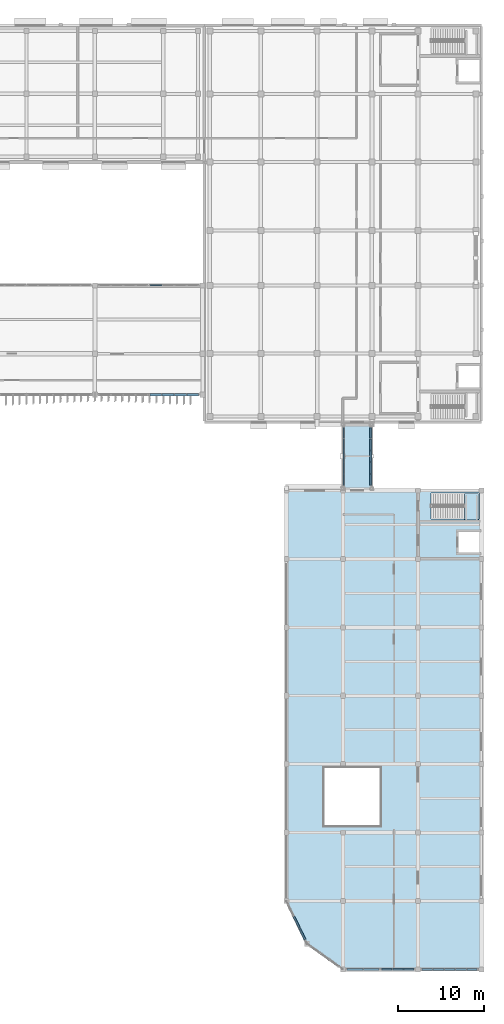
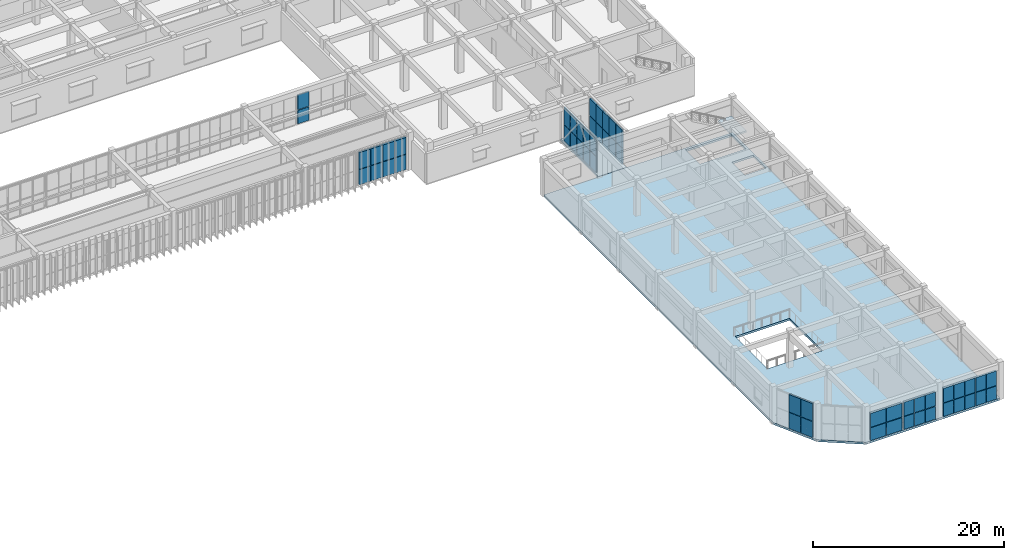
# One storey, part 34 of 64: 54 plates, 3 slabs, 9 elements without a shape of their own.
"""IFC4 building model written with IfcOpenShell, lengths in metres."""

from ifc_helpers import new_model, si_unit, direction, frame, origin, origin_2d, place, context, subcontext, project, spatial, polyline, rectangle, outline, extrude, material, layer, layer_set, type_object, element, aggregate, save


model = new_model("IFC4")

# Units and contexts
model_context = context("Model", 3, precision=1e-05, world=origin(), true_north=direction((0.0, 1.0)))
body_context = subcontext(model_context, "Body", "Model", "MODEL_VIEW")
ifc_project = project(units=[si_unit("LENGTHUNIT", "METRE"), si_unit("AREAUNIT", "SQUARE_METRE"), si_unit("VOLUMEUNIT", "CUBIC_METRE"), si_unit("PLANEANGLEUNIT", "RADIAN"), si_unit("MASSUNIT", "GRAM", prefix="KILO")], contexts=[model_context])

# Site, building, storey
site_placement = place(None, origin())
site = spatial("IfcSite", under=ifc_project, at=site_placement, CompositionType="ELEMENT")
building_placement = place(site_placement, origin())
building = spatial("IfcBuilding", under=site, at=building_placement, Name="Cinchona Park Media Centre", CompositionType="ELEMENT")
storey_placement = place(building_placement, frame((0.0, 0.0, 5.39990234375)))
storey = spatial("IfcBuildingStorey", under=building, at=storey_placement, Name="L01", CompositionType="ELEMENT", Elevation=5.39990234375)

# Curtain wall, plates
ifc_material_1 = material(Name="Aluminium Curtain Wall Framing", Category="aluminium")
ifc_layer_1 = layer(ifc_material_1, 0.22509765625)
ifc_layer_set_1 = layer_set([ifc_layer_1], Name="Aluminium Curtain Wall Framing")
curtain_wall_type_1 = type_object("IfcCurtainWallType", Name="CW-CW04", PredefinedType="USERDEFINED", material=ifc_layer_set_1)
curtain_wall_1_placement = place(storey_placement, origin())
curtain_wall_1 = element("IfcCurtainWall", 1, at=curtain_wall_1_placement, inside=storey, type_object=curtain_wall_type_1, Name="Curtain Wall CW04 L01", ObjectType="UNITISED CURTAIN WALL", PredefinedType="USERDEFINED")
ifc_material_2 = material(Name="Insulated Acoustic Aluminium-Glass Spandrel Cassette", Category="aluminium")
ifc_layer_2 = layer(ifc_material_2, 0.139892578125)
ifc_layer_set_2 = layer_set([ifc_layer_2], Name="Insulated Acoustic Aluminium-Glass Spandrel Cassette")
plate_type_1 = type_object("IfcPlateType", Name="CWPANEL-PNL13", PredefinedType="CURTAIN_PANEL", material=ifc_layer_set_2)
plate_1_placement = place(storey_placement, frame((133.923828125, 87.60009765625, 0.125), z_axis=(0.0, 0.0, 1.0), x_axis=(1.0, 0.0, 0.0)))
plate_1 = element("IfcPlate", 2, at=plate_1_placement, type_object=plate_type_1, Name="CW04 panel 1.1", PredefinedType="CURTAIN_PANEL", context=body_context, shape_type="SweptSolid", body=[
    extrude(rectangle(XDim=1.33740234375, YDim=0.139892578125, at=origin_2d()), origin(), (0.0, 0.0, 1.0), 1.73046875),
])
plate_2_placement = place(storey_placement, frame((133.923828125, 87.60009765625, 1.9306640625), z_axis=(0.0, 0.0, 1.0), x_axis=(1.0, 0.0, 0.0)))
plate_2 = element("IfcPlate", 3, at=plate_2_placement, type_object=plate_type_1, Name="CW04 panel 1.2", PredefinedType="CURTAIN_PANEL", context=body_context, shape_type="SweptSolid", body=[
    extrude(rectangle(XDim=1.33740234375, YDim=0.139892578125, at=origin_2d()), origin(), (0.0, 0.0, 1.0), 1.884521484375),
])
aggregate(curtain_wall_1, [plate_1, plate_2])

ifc_material_3 = material(Name="Aluminium Curtain Wall Framing", Category="aluminium")
ifc_layer_3 = layer(ifc_material_3, 0.195068359375)
ifc_layer_set_3 = layer_set([ifc_layer_3], Name="Aluminium Curtain Wall Framing")
curtain_wall_type_2 = type_object("IfcCurtainWallType", Name="CW-CW02", PredefinedType="USERDEFINED", material=ifc_layer_set_3)
curtain_wall_2_placement = place(storey_placement, origin())
curtain_wall_2 = element("IfcCurtainWall", 4, at=curtain_wall_2_placement, inside=storey, type_object=curtain_wall_type_2, Name="Skybridge SB1 Curtain Wall CW02 L01", ObjectType="UNITISED CURTAIN WALL", PredefinedType="USERDEFINED")
plate_3_placement = place(storey_placement, frame((155.919921875, 64.872314453125, 0.114990234375), z_axis=(0.0, 0.0, 1.0), x_axis=(0.0, 1.0, 0.0)))
plate_3 = element("IfcPlate", 5, at=plate_3_placement, type_object=plate_type_1, Name="CW02 panel 1.1", PredefinedType="CURTAIN_PANEL", context=body_context, shape_type="SweptSolid", body=[
    extrude(rectangle(XDim=1.2744140625, YDim=0.139892578125, at=origin_2d()), origin(), (0.0, 0.0, 1.0), 2.03857421875),
])
plate_4_placement = place(storey_placement, frame((155.919921875, 64.872314453125, 2.21875), z_axis=(0.0, 0.0, 1.0), x_axis=(0.0, 1.0, 0.0)))
plate_4 = element("IfcPlate", 6, at=plate_4_placement, type_object=plate_type_1, Name="CW02 panel 1.2", PredefinedType="CURTAIN_PANEL", context=body_context, shape_type="SweptSolid", body=[
    extrude(rectangle(XDim=1.2744140625, YDim=0.139892578125, at=origin_2d()), origin(), (0.0, 0.0, 1.0), 2.216552734375),
])
plate_5_placement = place(storey_placement, frame((155.919921875, 66.22802734375, 0.114990234375), z_axis=(0.0, 0.0, 1.0), x_axis=(0.0, 1.0, 0.0)))
plate_5 = element("IfcPlate", 7, at=plate_5_placement, type_object=plate_type_1, Name="CW02 panel 2.1", PredefinedType="CURTAIN_PANEL", context=body_context, shape_type="SweptSolid", body=[
    extrude(rectangle(XDim=1.306884765625, YDim=0.139892578125, at=origin_2d()), origin(), (0.0, 0.0, 1.0), 2.03857421875),
])
plate_6_placement = place(storey_placement, frame((155.919921875, 66.22802734375, 2.21875), z_axis=(0.0, 0.0, 1.0), x_axis=(0.0, 1.0, 0.0)))
plate_6 = element("IfcPlate", 8, at=plate_6_placement, type_object=plate_type_1, Name="CW02 panel 2.2", PredefinedType="CURTAIN_PANEL", context=body_context, shape_type="SweptSolid", body=[
    extrude(rectangle(XDim=1.306884765625, YDim=0.139892578125, at=origin_2d()), origin(), (0.0, 0.0, 1.0), 2.216552734375),
])
plate_7_placement = place(storey_placement, frame((155.919921875, 67.60009765625, 0.114990234375), z_axis=(0.0, 0.0, 1.0), x_axis=(0.0, 1.0, 0.0)))
plate_7 = element("IfcPlate", 9, at=plate_7_placement, type_object=plate_type_1, Name="CW02 panel 3.1", PredefinedType="CURTAIN_PANEL", context=body_context, shape_type="SweptSolid", body=[
    extrude(rectangle(XDim=1.306884765625, YDim=0.139892578125, at=origin_2d()), origin(), (0.0, 0.0, 1.0), 2.03857421875),
])
plate_8_placement = place(storey_placement, frame((155.919921875, 67.60009765625, 2.21875), z_axis=(0.0, 0.0, 1.0), x_axis=(0.0, 1.0, 0.0)))
plate_8 = element("IfcPlate", 10, at=plate_8_placement, type_object=plate_type_1, Name="CW02 panel 3.2", PredefinedType="CURTAIN_PANEL", context=body_context, shape_type="SweptSolid", body=[
    extrude(rectangle(XDim=1.306884765625, YDim=0.139892578125, at=origin_2d()), origin(), (0.0, 0.0, 1.0), 2.216552734375),
])
plate_9_placement = place(storey_placement, frame((155.919921875, 68.971923828125, 0.114990234375), z_axis=(0.0, 0.0, 1.0), x_axis=(0.0, 1.0, 0.0)))
plate_9 = element("IfcPlate", 11, at=plate_9_placement, type_object=plate_type_1, Name="CW02 panel 4.1", PredefinedType="CURTAIN_PANEL", context=body_context, shape_type="SweptSolid", body=[
    extrude(rectangle(XDim=1.306884765625, YDim=0.139892578125, at=origin_2d()), origin(), (0.0, 0.0, 1.0), 2.03857421875),
])
plate_10_placement = place(storey_placement, frame((155.919921875, 68.971923828125, 2.21875), z_axis=(0.0, 0.0, 1.0), x_axis=(0.0, 1.0, 0.0)))
plate_10 = element("IfcPlate", 12, at=plate_10_placement, type_object=plate_type_1, Name="CW02 panel 4.2", PredefinedType="CURTAIN_PANEL", context=body_context, shape_type="SweptSolid", body=[
    extrude(rectangle(XDim=1.306884765625, YDim=0.139892578125, at=origin_2d()), origin(), (0.0, 0.0, 1.0), 2.216552734375),
])
plate_11_placement = place(storey_placement, frame((155.919921875, 70.32763671875, 0.114990234375), z_axis=(0.0, 0.0, 1.0), x_axis=(0.0, 1.0, 0.0)))
plate_11 = element("IfcPlate", 13, at=plate_11_placement, type_object=plate_type_1, Name="CW02 panel 5.1", PredefinedType="CURTAIN_PANEL", context=body_context, shape_type="SweptSolid", body=[
    extrude(rectangle(XDim=1.2744140625, YDim=0.139892578125, at=origin_2d()), origin(), (0.0, 0.0, 1.0), 2.03857421875),
])
plate_12_placement = place(storey_placement, frame((155.919921875, 70.32763671875, 2.21875), z_axis=(0.0, 0.0, 1.0), x_axis=(0.0, 1.0, 0.0)))
plate_12 = element("IfcPlate", 14, at=plate_12_placement, type_object=plate_type_1, Name="CW02 panel 5.2", PredefinedType="CURTAIN_PANEL", context=body_context, shape_type="SweptSolid", body=[
    extrude(rectangle(XDim=1.2744140625, YDim=0.139892578125, at=origin_2d()), origin(), (0.0, 0.0, 1.0), 2.216552734375),
])
aggregate(curtain_wall_2, [plate_3, plate_4, plate_5, plate_6, plate_7, plate_8, plate_9, plate_10, plate_11, plate_12])

ifc_material_4 = material(Name="Aluminium Curtain Wall Framing", Category="aluminium")
ifc_layer_4 = layer(ifc_material_4, 0.27001953125)
ifc_layer_set_4 = layer_set([ifc_layer_4], Name="Aluminium Curtain Wall Framing")
curtain_wall_type_3 = type_object("IfcCurtainWallType", Name="CW-CW07", PredefinedType="USERDEFINED", material=ifc_layer_set_4)
curtain_wall_3_placement = place(storey_placement, origin())
curtain_wall_3 = element("IfcCurtainWall", 15, at=curtain_wall_3_placement, inside=storey, type_object=curtain_wall_type_3, Name="Curtain Wall CW07 L01", ObjectType="UNITISED CURTAIN WALL", PredefinedType="USERDEFINED")
ifc_material_5 = material(Name="Insulated Acoustic Aluminium-Glass Spandrel Cassette", Category="aluminium")
ifc_layer_5 = layer(ifc_material_5, 0.2099609375)
ifc_layer_set_5 = layer_set([ifc_layer_5], Name="Insulated Acoustic Aluminium-Glass Spandrel Cassette")
plate_type_2 = type_object("IfcPlateType", Name="CWPANEL-PNL20", PredefinedType="CURTAIN_PANEL", material=ifc_layer_set_5)
plate_13_placement = place(storey_placement, frame((151.060302734375, 11.724609375, 0.115234375), z_axis=(0.0, 0.0, 1.0), x_axis=(-0.432801347319, 0.901489319825, 0.0)))
plate_13 = element("IfcPlate", 16, at=plate_13_placement, type_object=plate_type_2, Name="CW07 panel 1.1", PredefinedType="CURTAIN_PANEL", context=body_context, shape_type="SweptSolid", body=[
    extrude(rectangle(XDim=1.4443359375, YDim=0.2099609375, at=origin_2d()), origin(), (0.0, 0.0, 1.0), 2.048583984375),
])
plate_14_placement = place(storey_placement, frame((151.060302734375, 11.724609375, 2.228515625), z_axis=(0.0, 0.0, 1.0), x_axis=(-0.432801347319, 0.901489319825, 0.0)))
plate_14 = element("IfcPlate", 17, at=plate_14_placement, type_object=plate_type_2, Name="CW07 panel 1.2", PredefinedType="CURTAIN_PANEL", context=body_context, shape_type="SweptSolid", body=[
    extrude(rectangle(XDim=1.4443359375, YDim=0.2099609375, at=origin_2d()), origin(), (0.0, 0.0, 1.0), 2.2265625),
])
plate_15_placement = place(storey_placement, frame((150.39990234375, 13.10009765625, 0.115234375), z_axis=(0.0, 0.0, 1.0), x_axis=(-0.432801347319, 0.901489319825, 0.0)))
plate_15 = element("IfcPlate", 18, at=plate_15_placement, type_object=plate_type_2, Name="CW07 panel 2.1", PredefinedType="CURTAIN_PANEL", context=body_context, shape_type="SweptSolid", body=[
    extrude(rectangle(XDim=1.476806640625, YDim=0.2099609375, at=origin_2d()), origin(), (0.0, 0.0, 1.0), 2.048583984375),
])
plate_16_placement = place(storey_placement, frame((150.39990234375, 13.10009765625, 2.228515625), z_axis=(0.0, 0.0, 1.0), x_axis=(-0.432801347319, 0.901489319825, 0.0)))
plate_16 = element("IfcPlate", 19, at=plate_16_placement, type_object=plate_type_2, Name="CW07 panel 2.2", PredefinedType="CURTAIN_PANEL", context=body_context, shape_type="SweptSolid", body=[
    extrude(rectangle(XDim=1.476806640625, YDim=0.2099609375, at=origin_2d()), origin(), (0.0, 0.0, 1.0), 2.2265625),
])
aggregate(curtain_wall_3, [plate_13, plate_14, plate_15, plate_16])

curtain_wall_4_placement = place(storey_placement, origin())
curtain_wall_4 = element("IfcCurtainWall", 20, at=curtain_wall_4_placement, inside=storey, type_object=curtain_wall_type_2, Name="Skybridge SB1 Curtain Wall CW02 L01", ObjectType="UNITISED CURTAIN WALL", PredefinedType="USERDEFINED")
plate_17_placement = place(storey_placement, frame((159.080078125, 70.32763671875, 0.114990234375), z_axis=(0.0, 0.0, 1.0), x_axis=(0.0, -1.0, 0.0)))
plate_17 = element("IfcPlate", 21, at=plate_17_placement, type_object=plate_type_2, Name="CW02 panel 1.1", PredefinedType="CURTAIN_PANEL", context=body_context, shape_type="SweptSolid", body=[
    extrude(rectangle(XDim=1.2744140625, YDim=0.2099609375, at=origin_2d()), origin(), (0.0, 0.0, 1.0), 2.03857421875),
])
plate_18_placement = place(storey_placement, frame((159.080078125, 70.32763671875, 2.21875), z_axis=(0.0, 0.0, 1.0), x_axis=(0.0, -1.0, 0.0)))
plate_18 = element("IfcPlate", 22, at=plate_18_placement, type_object=plate_type_2, Name="CW02 panel 1.2", PredefinedType="CURTAIN_PANEL", context=body_context, shape_type="SweptSolid", body=[
    extrude(rectangle(XDim=1.2744140625, YDim=0.2099609375, at=origin_2d()), origin(), (0.0, 0.0, 1.0), 2.216552734375),
])
plate_19_placement = place(storey_placement, frame((159.080078125, 68.971923828125, 0.114990234375), z_axis=(0.0, 0.0, 1.0), x_axis=(0.0, -1.0, 0.0)))
plate_19 = element("IfcPlate", 23, at=plate_19_placement, type_object=plate_type_2, Name="CW02 panel 2.1", PredefinedType="CURTAIN_PANEL", context=body_context, shape_type="SweptSolid", body=[
    extrude(rectangle(XDim=1.306884765625, YDim=0.2099609375, at=origin_2d()), origin(), (0.0, 0.0, 1.0), 2.03857421875),
])
plate_20_placement = place(storey_placement, frame((159.080078125, 68.971923828125, 2.21875), z_axis=(0.0, 0.0, 1.0), x_axis=(0.0, -1.0, 0.0)))
plate_20 = element("IfcPlate", 24, at=plate_20_placement, type_object=plate_type_2, Name="CW02 panel 2.2", PredefinedType="CURTAIN_PANEL", context=body_context, shape_type="SweptSolid", body=[
    extrude(rectangle(XDim=1.306884765625, YDim=0.2099609375, at=origin_2d()), origin(), (0.0, 0.0, 1.0), 2.216552734375),
])
plate_21_placement = place(storey_placement, frame((159.080078125, 67.60009765625, 0.114990234375), z_axis=(0.0, 0.0, 1.0), x_axis=(0.0, -1.0, 0.0)))
plate_21 = element("IfcPlate", 25, at=plate_21_placement, type_object=plate_type_2, Name="CW02 panel 3.1", PredefinedType="CURTAIN_PANEL", context=body_context, shape_type="SweptSolid", body=[
    extrude(rectangle(XDim=1.306884765625, YDim=0.2099609375, at=origin_2d()), origin(), (0.0, 0.0, 1.0), 2.03857421875),
])
plate_22_placement = place(storey_placement, frame((159.080078125, 67.60009765625, 2.21875), z_axis=(0.0, 0.0, 1.0), x_axis=(0.0, -1.0, 0.0)))
plate_22 = element("IfcPlate", 26, at=plate_22_placement, type_object=plate_type_2, Name="CW02 panel 3.2", PredefinedType="CURTAIN_PANEL", context=body_context, shape_type="SweptSolid", body=[
    extrude(rectangle(XDim=1.306884765625, YDim=0.2099609375, at=origin_2d()), origin(), (0.0, 0.0, 1.0), 2.216552734375),
])
plate_23_placement = place(storey_placement, frame((159.080078125, 66.22802734375, 0.114990234375), z_axis=(0.0, 0.0, 1.0), x_axis=(0.0, -1.0, 0.0)))
plate_23 = element("IfcPlate", 27, at=plate_23_placement, type_object=plate_type_2, Name="CW02 panel 4.1", PredefinedType="CURTAIN_PANEL", context=body_context, shape_type="SweptSolid", body=[
    extrude(rectangle(XDim=1.306884765625, YDim=0.2099609375, at=origin_2d()), origin(), (0.0, 0.0, 1.0), 2.03857421875),
])
plate_24_placement = place(storey_placement, frame((159.080078125, 66.22802734375, 2.21875), z_axis=(0.0, 0.0, 1.0), x_axis=(0.0, -1.0, 0.0)))
plate_24 = element("IfcPlate", 28, at=plate_24_placement, type_object=plate_type_2, Name="CW02 panel 4.2", PredefinedType="CURTAIN_PANEL", context=body_context, shape_type="SweptSolid", body=[
    extrude(rectangle(XDim=1.306884765625, YDim=0.2099609375, at=origin_2d()), origin(), (0.0, 0.0, 1.0), 2.216552734375),
])
plate_25_placement = place(storey_placement, frame((159.080078125, 64.872314453125, 0.114990234375), z_axis=(0.0, 0.0, 1.0), x_axis=(0.0, -1.0, 0.0)))
plate_25 = element("IfcPlate", 29, at=plate_25_placement, type_object=plate_type_2, Name="CW02 panel 5.1", PredefinedType="CURTAIN_PANEL", context=body_context, shape_type="SweptSolid", body=[
    extrude(rectangle(XDim=1.2744140625, YDim=0.2099609375, at=origin_2d()), origin(), (0.0, 0.0, 1.0), 2.03857421875),
])
plate_26_placement = place(storey_placement, frame((159.080078125, 64.872314453125, 2.21875), z_axis=(0.0, 0.0, 1.0), x_axis=(0.0, -1.0, 0.0)))
plate_26 = element("IfcPlate", 30, at=plate_26_placement, type_object=plate_type_2, Name="CW02 panel 5.2", PredefinedType="CURTAIN_PANEL", context=body_context, shape_type="SweptSolid", body=[
    extrude(rectangle(XDim=1.2744140625, YDim=0.2099609375, at=origin_2d()), origin(), (0.0, 0.0, 1.0), 2.216552734375),
])
aggregate(curtain_wall_4, [plate_17, plate_18, plate_19, plate_20, plate_21, plate_22, plate_23, plate_24, plate_25, plate_26])

ifc_material_6 = material(Name="Aluminium Curtain Wall Framing", Category="aluminium")
ifc_layer_6 = layer(ifc_material_6, 0.284912109375)
ifc_layer_set_6 = layer_set([ifc_layer_6], Name="Aluminium Curtain Wall Framing")
curtain_wall_type_4 = type_object("IfcCurtainWallType", Name="CW-CW08", PredefinedType="USERDEFINED", material=ifc_layer_set_6)
curtain_wall_5_placement = place(storey_placement, origin())
curtain_wall_5 = element("IfcCurtainWall", 31, at=curtain_wall_5_placement, inside=storey, type_object=curtain_wall_type_4, Name="Curtain Wall CW08 L01", ObjectType="UNITISED CURTAIN WALL", PredefinedType="USERDEFINED")
ifc_material_7 = material(Name="Insulated Acoustic Aluminium-Glass Spandrel Cassette", Category="aluminium")
ifc_layer_7 = layer(ifc_material_7, 0.219970703125)
ifc_layer_set_7 = layer_set([ifc_layer_7], Name="Insulated Acoustic Aluminium-Glass Spandrel Cassette")
plate_type_3 = type_object("IfcPlateType", Name="CWPANEL-PNL21", PredefinedType="CURTAIN_PANEL", material=ifc_layer_set_7)
plate_27_placement = place(storey_placement, frame((163.512451171875, 7.60009765625, 0.1201171875), z_axis=(0.0, 0.0, 1.0), x_axis=(-1.0, 0.0, 0.0)))
plate_27 = element("IfcPlate", 32, at=plate_27_placement, type_object=plate_type_3, Name="CW08 panel 1.1", PredefinedType="CURTAIN_PANEL", context=body_context, shape_type="SweptSolid", body=[
    extrude(rectangle(XDim=1.195068359375, YDim=0.219970703125, at=origin_2d()), origin(), (0.0, 0.0, 1.0), 1.633056640625),
])
plate_28_placement = place(storey_placement, frame((163.512451171875, 7.60009765625, 1.8232421875), z_axis=(0.0, 0.0, 1.0), x_axis=(-1.0, 0.0, 0.0)))
plate_28 = element("IfcPlate", 33, at=plate_28_placement, type_object=plate_type_3, Name="CW08 panel 1.2", PredefinedType="CURTAIN_PANEL", context=body_context, shape_type="SweptSolid", body=[
    extrude(rectangle(XDim=1.195068359375, YDim=0.219970703125, at=origin_2d()), origin(), (0.0, 0.0, 1.0), 1.777099609375),
])
plate_29_placement = place(storey_placement, frame((162.22998046875, 7.60009765625, 0.1201171875), z_axis=(0.0, 0.0, 1.0), x_axis=(-1.0, 0.0, 0.0)))
plate_29 = element("IfcPlate", 34, at=plate_29_placement, type_object=plate_type_3, Name="CW08 panel 2.1", PredefinedType="CURTAIN_PANEL", context=body_context, shape_type="SweptSolid", body=[
    extrude(rectangle(XDim=1.22998046875, YDim=0.219970703125, at=origin_2d()), origin(), (0.0, 0.0, 1.0), 1.633056640625),
])
plate_30_placement = place(storey_placement, frame((162.22998046875, 7.60009765625, 1.8232421875), z_axis=(0.0, 0.0, 1.0), x_axis=(-1.0, 0.0, 0.0)))
plate_30 = element("IfcPlate", 35, at=plate_30_placement, type_object=plate_type_3, Name="CW08 panel 2.2", PredefinedType="CURTAIN_PANEL", context=body_context, shape_type="SweptSolid", body=[
    extrude(rectangle(XDim=1.22998046875, YDim=0.219970703125, at=origin_2d()), origin(), (0.0, 0.0, 1.0), 1.777099609375),
])
plate_31_placement = place(storey_placement, frame((160.947509765625, 7.60009765625, 0.1201171875), z_axis=(0.0, 0.0, 1.0), x_axis=(-1.0, 0.0, 0.0)))
plate_31 = element("IfcPlate", 36, at=plate_31_placement, type_object=plate_type_3, Name="CW08 panel 3.1", PredefinedType="CURTAIN_PANEL", context=body_context, shape_type="SweptSolid", body=[
    extrude(rectangle(XDim=1.195068359375, YDim=0.219970703125, at=origin_2d()), origin(), (0.0, 0.0, 1.0), 1.633056640625),
])
plate_32_placement = place(storey_placement, frame((160.947509765625, 7.60009765625, 1.8232421875), z_axis=(0.0, 0.0, 1.0), x_axis=(-1.0, 0.0, 0.0)))
plate_32 = element("IfcPlate", 37, at=plate_32_placement, type_object=plate_type_3, Name="CW08 panel 3.2", PredefinedType="CURTAIN_PANEL", context=body_context, shape_type="SweptSolid", body=[
    extrude(rectangle(XDim=1.195068359375, YDim=0.219970703125, at=origin_2d()), origin(), (0.0, 0.0, 1.0), 1.777099609375),
])
aggregate(curtain_wall_5, [plate_27, plate_28, plate_29, plate_30, plate_31, plate_32])

ifc_material_8 = material(Name="Aluminium Curtain Wall Framing", Category="aluminium")
ifc_layer_8 = layer(ifc_material_8, 0.300048828125)
ifc_layer_set_8 = layer_set([ifc_layer_8], Name="Aluminium Curtain Wall Framing")
curtain_wall_type_5 = type_object("IfcCurtainWallType", Name="CW-CW09", PredefinedType="USERDEFINED", material=ifc_layer_set_8)
curtain_wall_6_placement = place(storey_placement, origin())
curtain_wall_6 = element("IfcCurtainWall", 38, at=curtain_wall_6_placement, inside=storey, type_object=curtain_wall_type_5, Name="Curtain Wall CW09 L01", ObjectType="UNITISED CURTAIN WALL", PredefinedType="USERDEFINED")
ifc_material_9 = material(Name="Insulated Acoustic Aluminium-Glass Spandrel Cassette", Category="aluminium")
ifc_layer_9 = layer(ifc_material_9, 0.239990234375)
ifc_layer_set_9 = layer_set([ifc_layer_9], Name="Insulated Acoustic Aluminium-Glass Spandrel Cassette")
plate_type_4 = type_object("IfcPlateType", Name="CWPANEL-PNL23", PredefinedType="CURTAIN_PANEL", material=ifc_layer_set_9)
plate_33_placement = place(storey_placement, frame((159.12744140625, 7.60009765625, 0.1201171875), z_axis=(0.0, 0.0, 1.0), x_axis=(-1.0, 0.0, 0.0)))
plate_33 = element("IfcPlate", 39, at=plate_33_placement, type_object=plate_type_4, Name="CW09 panel 1.1", PredefinedType="CURTAIN_PANEL", context=body_context, shape_type="SweptSolid", body=[
    extrude(rectangle(XDim=1.844970703125, YDim=0.239990234375, at=origin_2d()), origin(), (0.0, 0.0, 1.0), 1.633056640625),
])
plate_34_placement = place(storey_placement, frame((159.12744140625, 7.60009765625, 1.8232421875), z_axis=(0.0, 0.0, 1.0), x_axis=(-1.0, 0.0, 0.0)))
plate_34 = element("IfcPlate", 40, at=plate_34_placement, type_object=plate_type_4, Name="CW09 panel 1.2", PredefinedType="CURTAIN_PANEL", context=body_context, shape_type="SweptSolid", body=[
    extrude(rectangle(XDim=1.844970703125, YDim=0.239990234375, at=origin_2d()), origin(), (0.0, 0.0, 1.0), 1.777099609375),
])
plate_35_placement = place(storey_placement, frame((157.21240234375, 7.60009765625, 0.1201171875), z_axis=(0.0, 0.0, 1.0), x_axis=(-1.0, 0.0, 0.0)))
plate_35 = element("IfcPlate", 41, at=plate_35_placement, type_object=plate_type_4, Name="CW09 panel 2.1", PredefinedType="CURTAIN_PANEL", context=body_context, shape_type="SweptSolid", body=[
    extrude(rectangle(XDim=1.844970703125, YDim=0.239990234375, at=origin_2d()), origin(), (0.0, 0.0, 1.0), 1.633056640625),
])
plate_36_placement = place(storey_placement, frame((157.21240234375, 7.60009765625, 1.8232421875), z_axis=(0.0, 0.0, 1.0), x_axis=(-1.0, 0.0, 0.0)))
plate_36 = element("IfcPlate", 42, at=plate_36_placement, type_object=plate_type_4, Name="CW09 panel 2.2", PredefinedType="CURTAIN_PANEL", context=body_context, shape_type="SweptSolid", body=[
    extrude(rectangle(XDim=1.844970703125, YDim=0.239990234375, at=origin_2d()), origin(), (0.0, 0.0, 1.0), 1.777099609375),
])
aggregate(curtain_wall_6, [plate_33, plate_34, plate_35, plate_36])

curtain_wall_7_placement = place(storey_placement, origin())
curtain_wall_7 = element("IfcCurtainWall", 43, at=curtain_wall_7_placement, inside=storey, type_object=curtain_wall_type_3, Name="Curtain Wall CW07 L01", ObjectType="UNITISED CURTAIN WALL", PredefinedType="USERDEFINED")
ifc_material_10 = material(Name="Insulated Acoustic Aluminium-Glass Spandrel Cassette", Category="aluminium")
ifc_layer_10 = layer(ifc_material_10, 0.25)
ifc_layer_set_10 = layer_set([ifc_layer_10], Name="Insulated Acoustic Aluminium-Glass Spandrel Cassette")
plate_type_5 = type_object("IfcPlateType", Name="CWPANEL-PNL24", PredefinedType="CURTAIN_PANEL", material=ifc_layer_set_10)
plate_37_placement = place(storey_placement, frame((138.23876953125, 74.800048828125, 0.114990234375), z_axis=(0.0, 0.0, 1.0), x_axis=(-1.0, 0.0, 0.0)))
plate_37 = element("IfcPlate", 44, at=plate_37_placement, type_object=plate_type_5, Name="CW07 panel 1.1", PredefinedType="CURTAIN_PANEL", context=body_context, shape_type="SweptSolid", body=[
    extrude(rectangle(XDim=1.3525390625, YDim=0.25, at=origin_2d()), origin(), (0.0, 0.0, 1.0), 1.9365234375),
])
plate_38_placement = place(storey_placement, frame((138.23876953125, 74.800048828125, 2.11669921875), z_axis=(0.0, 0.0, 1.0), x_axis=(-1.0, 0.0, 0.0)))
plate_38 = element("IfcPlate", 45, at=plate_38_placement, type_object=plate_type_5, Name="CW07 panel 1.2", PredefinedType="CURTAIN_PANEL", context=body_context, shape_type="SweptSolid", body=[
    extrude(rectangle(XDim=1.3525390625, YDim=0.25, at=origin_2d()), origin(), (0.0, 0.0, 1.0), 2.1064453125),
])
plate_39_placement = place(storey_placement, frame((136.804931640625, 74.800048828125, 0.114990234375), z_axis=(0.0, 0.0, 1.0), x_axis=(-1.0, 0.0, 0.0)))
plate_39 = element("IfcPlate", 46, at=plate_39_placement, type_object=plate_type_5, Name="CW07 panel 2.1", PredefinedType="CURTAIN_PANEL", context=body_context, shape_type="SweptSolid", body=[
    extrude(rectangle(XDim=1.385009765625, YDim=0.25, at=origin_2d()), origin(), (0.0, 0.0, 1.0), 1.9365234375),
])
plate_40_placement = place(storey_placement, frame((136.804931640625, 74.800048828125, 2.11669921875), z_axis=(0.0, 0.0, 1.0), x_axis=(-1.0, 0.0, 0.0)))
plate_40 = element("IfcPlate", 47, at=plate_40_placement, type_object=plate_type_5, Name="CW07 panel 2.2", PredefinedType="CURTAIN_PANEL", context=body_context, shape_type="SweptSolid", body=[
    extrude(rectangle(XDim=1.385009765625, YDim=0.25, at=origin_2d()), origin(), (0.0, 0.0, 1.0), 2.1064453125),
])
plate_41_placement = place(storey_placement, frame((135.35498046875, 74.800048828125, 0.114990234375), z_axis=(0.0, 0.0, 1.0), x_axis=(-1.0, 0.0, 0.0)))
plate_41 = element("IfcPlate", 48, at=plate_41_placement, type_object=plate_type_5, Name="CW07 panel 3.1", PredefinedType="CURTAIN_PANEL", context=body_context, shape_type="SweptSolid", body=[
    extrude(rectangle(XDim=1.385009765625, YDim=0.25, at=origin_2d()), origin(), (0.0, 0.0, 1.0), 1.9365234375),
])
plate_42_placement = place(storey_placement, frame((135.35498046875, 74.800048828125, 2.11669921875), z_axis=(0.0, 0.0, 1.0), x_axis=(-1.0, 0.0, 0.0)))
plate_42 = element("IfcPlate", 49, at=plate_42_placement, type_object=plate_type_5, Name="CW07 panel 3.2", PredefinedType="CURTAIN_PANEL", context=body_context, shape_type="SweptSolid", body=[
    extrude(rectangle(XDim=1.385009765625, YDim=0.25, at=origin_2d()), origin(), (0.0, 0.0, 1.0), 2.1064453125),
])
plate_43_placement = place(storey_placement, frame((133.921142578125, 74.800048828125, 0.114990234375), z_axis=(0.0, 0.0, 1.0), x_axis=(-1.0, 0.0, 0.0)))
plate_43 = element("IfcPlate", 50, at=plate_43_placement, type_object=plate_type_5, Name="CW07 panel 4.1", PredefinedType="CURTAIN_PANEL", context=body_context, shape_type="SweptSolid", body=[
    extrude(rectangle(XDim=1.3525390625, YDim=0.25, at=origin_2d()), origin(), (0.0, 0.0, 1.0), 1.9365234375),
])
plate_44_placement = place(storey_placement, frame((133.921142578125, 74.800048828125, 2.11669921875), z_axis=(0.0, 0.0, 1.0), x_axis=(-1.0, 0.0, 0.0)))
plate_44 = element("IfcPlate", 51, at=plate_44_placement, type_object=plate_type_5, Name="CW07 panel 4.2", PredefinedType="CURTAIN_PANEL", context=body_context, shape_type="SweptSolid", body=[
    extrude(rectangle(XDim=1.3525390625, YDim=0.25, at=origin_2d()), origin(), (0.0, 0.0, 1.0), 2.1064453125),
])
aggregate(curtain_wall_7, [plate_37, plate_38, plate_39, plate_40, plate_41, plate_42, plate_43, plate_44])

ifc_material_11 = material(Name="Aluminium Curtain Wall Framing", Category="aluminium")
ifc_layer_11 = layer(ifc_material_11, 0.179931640625)
ifc_layer_set_11 = layer_set([ifc_layer_11], Name="Aluminium Curtain Wall Framing")
curtain_wall_type_6 = type_object("IfcCurtainWallType", Name="CW-CW01", PredefinedType="USERDEFINED", material=ifc_layer_set_11)
curtain_wall_8_placement = place(storey_placement, origin())
curtain_wall_8 = element("IfcCurtainWall", 52, at=curtain_wall_8_placement, inside=storey, type_object=curtain_wall_type_6, Name="Curtain Wall CW01 L01", ObjectType="UNITISED CURTAIN WALL", PredefinedType="USERDEFINED")
plate_45_placement = place(storey_placement, frame((170.90771484375, 7.60009765625, 0.114990234375), z_axis=(0.0, 0.0, 1.0), x_axis=(-1.0, 0.0, 0.0)))
plate_45 = element("IfcPlate", 53, at=plate_45_placement, type_object=plate_type_5, Name="CW01 panel 1.1", PredefinedType="CURTAIN_PANEL", context=body_context, shape_type="SweptSolid", body=[
    extrude(rectangle(XDim=1.214599609375, YDim=0.25, at=origin_2d()), origin(), (0.0, 0.0, 1.0), 1.6884765625),
])
plate_46_placement = place(storey_placement, frame((170.90771484375, 7.60009765625, 1.86865234375), z_axis=(0.0, 0.0, 1.0), x_axis=(-1.0, 0.0, 0.0)))
plate_46 = element("IfcPlate", 54, at=plate_46_placement, type_object=plate_type_5, Name="CW01 panel 1.2", PredefinedType="CURTAIN_PANEL", context=body_context, shape_type="SweptSolid", body=[
    extrude(rectangle(XDim=1.214599609375, YDim=0.25, at=origin_2d()), origin(), (0.0, 0.0, 1.0), 1.83642578125),
])
plate_47_placement = place(storey_placement, frame((169.612060546875, 7.60009765625, 0.114990234375), z_axis=(0.0, 0.0, 1.0), x_axis=(-1.0, 0.0, 0.0)))
plate_47 = element("IfcPlate", 55, at=plate_47_placement, type_object=plate_type_5, Name="CW01 panel 2.1", PredefinedType="CURTAIN_PANEL", context=body_context, shape_type="SweptSolid", body=[
    extrude(rectangle(XDim=1.2470703125, YDim=0.25, at=origin_2d()), origin(), (0.0, 0.0, 1.0), 1.6884765625),
])
plate_48_placement = place(storey_placement, frame((169.612060546875, 7.60009765625, 1.86865234375), z_axis=(0.0, 0.0, 1.0), x_axis=(-1.0, 0.0, 0.0)))
plate_48 = element("IfcPlate", 56, at=plate_48_placement, type_object=plate_type_5, Name="CW01 panel 2.2", PredefinedType="CURTAIN_PANEL", context=body_context, shape_type="SweptSolid", body=[
    extrude(rectangle(XDim=1.2470703125, YDim=0.25, at=origin_2d()), origin(), (0.0, 0.0, 1.0), 1.83642578125),
])
plate_49_placement = place(storey_placement, frame((168.300048828125, 7.60009765625, 0.114990234375), z_axis=(0.0, 0.0, 1.0), x_axis=(-1.0, 0.0, 0.0)))
plate_49 = element("IfcPlate", 57, at=plate_49_placement, type_object=plate_type_5, Name="CW01 panel 3.1", PredefinedType="CURTAIN_PANEL", context=body_context, shape_type="SweptSolid", body=[
    extrude(rectangle(XDim=1.2470703125, YDim=0.25, at=origin_2d()), origin(), (0.0, 0.0, 1.0), 1.6884765625),
])
plate_50_placement = place(storey_placement, frame((168.300048828125, 7.60009765625, 1.86865234375), z_axis=(0.0, 0.0, 1.0), x_axis=(-1.0, 0.0, 0.0)))
plate_50 = element("IfcPlate", 58, at=plate_50_placement, type_object=plate_type_5, Name="CW01 panel 3.2", PredefinedType="CURTAIN_PANEL", context=body_context, shape_type="SweptSolid", body=[
    extrude(rectangle(XDim=1.2470703125, YDim=0.25, at=origin_2d()), origin(), (0.0, 0.0, 1.0), 1.83642578125),
])
plate_51_placement = place(storey_placement, frame((166.988037109375, 7.60009765625, 0.114990234375), z_axis=(0.0, 0.0, 1.0), x_axis=(-1.0, 0.0, 0.0)))
plate_51 = element("IfcPlate", 59, at=plate_51_placement, type_object=plate_type_5, Name="CW01 panel 4.1", PredefinedType="CURTAIN_PANEL", context=body_context, shape_type="SweptSolid", body=[
    extrude(rectangle(XDim=1.2470703125, YDim=0.25, at=origin_2d()), origin(), (0.0, 0.0, 1.0), 1.6884765625),
])
plate_52_placement = place(storey_placement, frame((166.988037109375, 7.60009765625, 1.86865234375), z_axis=(0.0, 0.0, 1.0), x_axis=(-1.0, 0.0, 0.0)))
plate_52 = element("IfcPlate", 60, at=plate_52_placement, type_object=plate_type_5, Name="CW01 panel 4.2", PredefinedType="CURTAIN_PANEL", context=body_context, shape_type="SweptSolid", body=[
    extrude(rectangle(XDim=1.2470703125, YDim=0.25, at=origin_2d()), origin(), (0.0, 0.0, 1.0), 1.83642578125),
])
plate_53_placement = place(storey_placement, frame((165.692138671875, 7.60009765625, 0.114990234375), z_axis=(0.0, 0.0, 1.0), x_axis=(-1.0, 0.0, 0.0)))
plate_53 = element("IfcPlate", 61, at=plate_53_placement, type_object=plate_type_5, Name="CW01 panel 5.1", PredefinedType="CURTAIN_PANEL", context=body_context, shape_type="SweptSolid", body=[
    extrude(rectangle(XDim=1.214599609375, YDim=0.25, at=origin_2d()), origin(), (0.0, 0.0, 1.0), 1.6884765625),
])
plate_54_placement = place(storey_placement, frame((165.692138671875, 7.60009765625, 1.86865234375), z_axis=(0.0, 0.0, 1.0), x_axis=(-1.0, 0.0, 0.0)))
plate_54 = element("IfcPlate", 62, at=plate_54_placement, type_object=plate_type_5, Name="CW01 panel 5.2", PredefinedType="CURTAIN_PANEL", context=body_context, shape_type="SweptSolid", body=[
    extrude(rectangle(XDim=1.214599609375, YDim=0.25, at=origin_2d()), origin(), (0.0, 0.0, 1.0), 1.83642578125),
])
aggregate(curtain_wall_8, [plate_45, plate_46, plate_47, plate_48, plate_49, plate_50, plate_51, plate_52, plate_53, plate_54])

# Stair, slab
ifc_material_12 = material(Name="Concrete C35/45", Category="concrete")
stair_type = type_object("IfcStairType", Name="STAIR-ST7-HT48", PredefinedType="HALF_TURN_STAIR", material=ifc_material_12)
stair_placement = place(storey_placement, origin())
stair = element("IfcStair", 63, at=stair_placement, inside=storey, type_object=stair_type, Name="Exit Stair ST7 L01", PredefinedType="HALF_TURN_STAIR")
ifc_material_13 = material(Name="Concrete C35/45", Category="concrete")
ifc_layer_12 = layer(ifc_material_13, 0.205078125)
ifc_layer_set_12 = layer_set([ifc_layer_12], Name="Concrete C35/45")
slab_type_1 = type_object("IfcSlabType", Name="LANDING-LDG01", PredefinedType="LANDING", material=ifc_layer_set_12)
slab_1_placement = place(storey_placement, frame((0.0, 0.0, 2.195068359375)))
slab_1 = element("IfcSlab", 64, at=slab_1_placement, type_object=slab_type_1, Name="ST7 landing 1", PredefinedType="LANDING", context=body_context, shape_type="SweptSolid", body=[
    extrude(outline(polyline([(170.02001953125, 60.155029296875), (171.679931640625, 60.155029296875), (171.679931640625, 63.280029296875), (170.02001953125, 63.280029296875), (170.02001953125, 60.155029296875)])), origin(), (0.0, 0.0, 1.0), 0.205078125),
])
aggregate(stair, [slab_1])

# Slabs
ifc_material_14 = material(Name="Concrete C35/45", Category="concrete")
ifc_layer_13 = layer(ifc_material_14, 0.260009765625)
ifc_layer_set_13 = layer_set([ifc_layer_13], Name="Concrete C35/45")
slab_type_2 = type_object("IfcSlabType", Name="SLAB-SL05-260", PredefinedType="FLOOR", material=ifc_layer_set_13)
slab_2_placement = place(storey_placement, frame((0.0, 0.0, -0.260009765625)))
element("IfcSlab", 65, at=slab_2_placement, inside=storey, type_object=slab_type_2, Name="Media Library Book Stacks Floor Slab V6 L01", PredefinedType="FLOOR", context=body_context, shape_type="SweptSolid", body=[
    extrude(outline(polyline([(155.800048828125, 7.60009765625), (172.0, 7.60009765625), (172.0, 63.60009765625), (149.199951171875, 63.60009765625), (149.199951171875, 15.60009765625), (151.60009765625, 10.60009765625), (155.800048828125, 7.60009765625)]), holes=[polyline([(166.135009765625, 60.300048828125), (171.699951171875, 60.300048828125), (171.699951171875, 63.300048828125), (166.135009765625, 63.300048828125), (166.135009765625, 60.300048828125)]), polyline([(169.199951171875, 56.199951171875), (171.800048828125, 56.199951171875), (171.800048828125, 58.89990234375), (169.199951171875, 58.89990234375), (169.199951171875, 56.199951171875)]), polyline([(153.60009765625, 24.39990234375), (160.199951171875, 24.39990234375), (160.199951171875, 31.199951171875), (153.60009765625, 31.199951171875), (153.60009765625, 24.39990234375)])]), origin(), (0.0, 0.0, 1.0), 0.260009765625),
])
ifc_material_15 = material(Name="Concrete C35/45", Category="concrete")
ifc_layer_14 = layer(ifc_material_15, 0.22998046875)
ifc_layer_set_14 = layer_set([ifc_layer_14], Name="Concrete C35/45")
slab_type_3 = type_object("IfcSlabType", Name="SLAB-SL10-230", PredefinedType="FLOOR", material=ifc_layer_set_14)
slab_3_placement = place(storey_placement, frame((0.0, 0.0, -0.22998046875)))
element("IfcSlab", 66, at=slab_3_placement, inside=storey, type_object=slab_type_3, Name="Skybridge Floor Slab SB1 L01", PredefinedType="FLOOR", context=body_context, shape_type="SweptSolid", body=[
    extrude(outline(polyline([(155.800048828125, 63.6201171875), (159.199951171875, 63.6201171875), (159.199951171875, 71.580078125), (155.800048828125, 71.580078125), (155.800048828125, 63.6201171875)])), origin(), (0.0, 0.0, 1.0), 0.22998046875),
])

save(model, "model.ifc")
